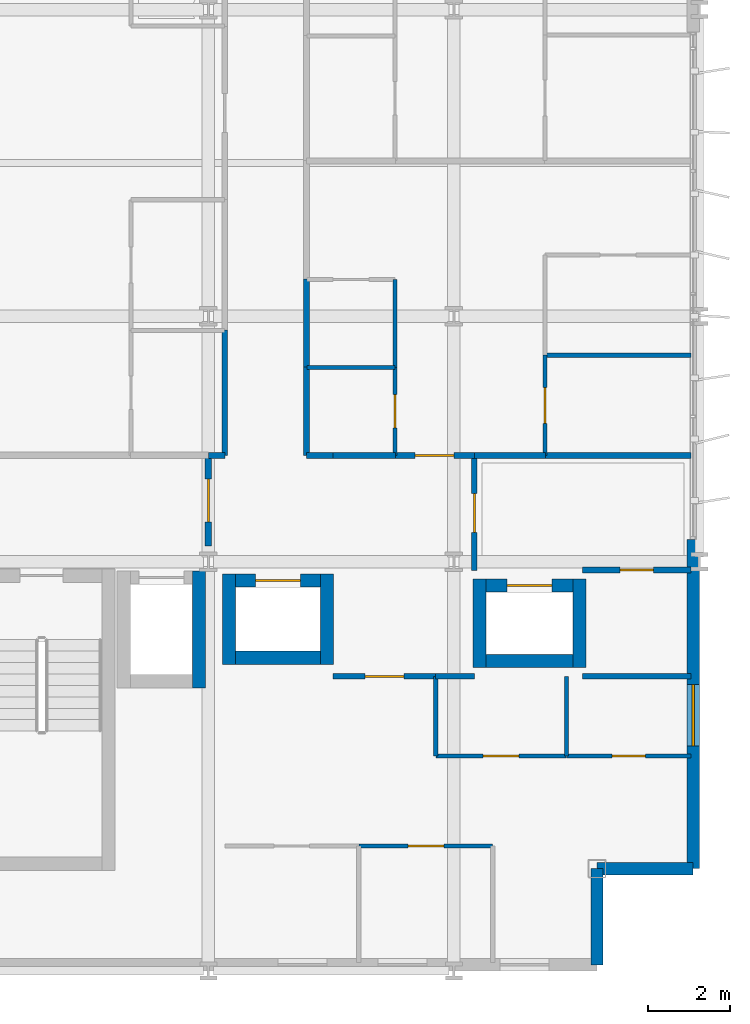
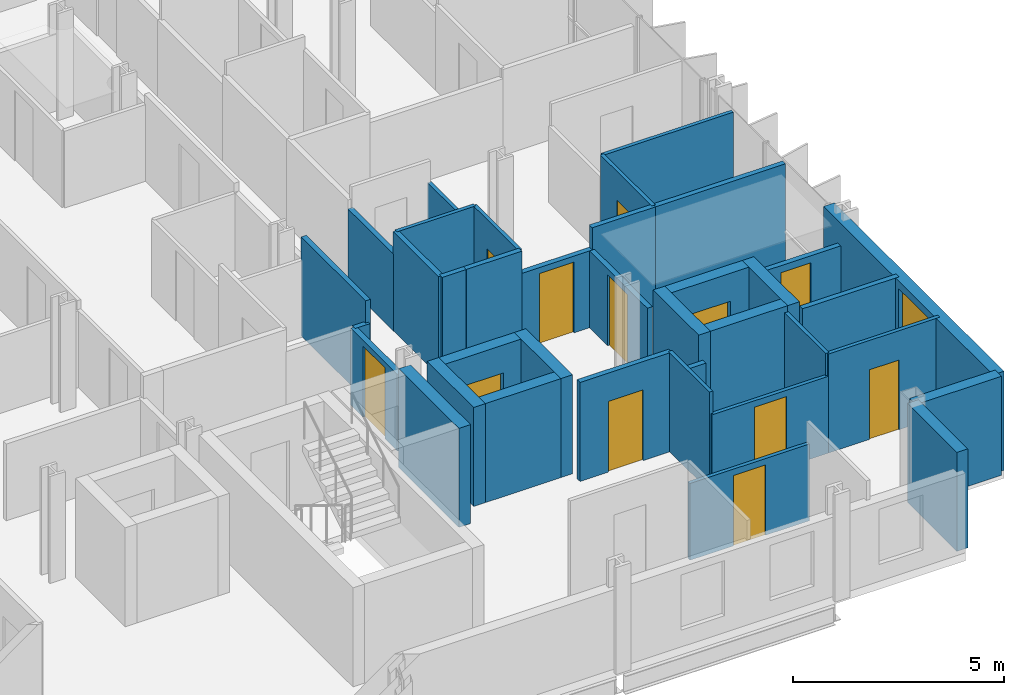
# One storey, part 31 of 39: 37 walls, 12 doors, 1 window, 13 openings.
"""IFC4 building model written with IfcOpenShell, lengths in metres."""

from ifc_helpers import new_model, si_unit, direction, frame, frame_2d, origin, place, context, subcontext, project, spatial, rectangle, extrude, material, layer, layer_set, type_object, element, fill, save


model = new_model("IFC4")

# Units and contexts
model_context = context("Model", 3, precision=1e-05, world=origin(), true_north=direction((0.0, 1.0)))
body_context = subcontext(model_context, "Body", "Model", "MODEL_VIEW")
ifc_project = project(units=[si_unit("LENGTHUNIT", "METRE"), si_unit("AREAUNIT", "SQUARE_METRE"), si_unit("VOLUMEUNIT", "CUBIC_METRE"), si_unit("PLANEANGLEUNIT", "RADIAN"), si_unit("MASSUNIT", "GRAM", prefix="KILO")], contexts=[model_context])

# Site, building, storey
site_placement = place(None, origin())
site = spatial("IfcSite", under=ifc_project, at=site_placement, CompositionType="ELEMENT")
building_placement = place(site_placement, origin())
building = spatial("IfcBuilding", under=site, at=building_placement, Name="Brevholm Reach", CompositionType="ELEMENT")
storey_placement = place(building_placement, frame((0.0, 0.0, 40.39990234375)))
storey = spatial("IfcBuildingStorey", under=building, at=storey_placement, Name="L10", CompositionType="ELEMENT", Elevation=40.39990234375)

# Walls
ifc_material_1 = material(Name="Concrete C60/75", Category="concrete")
ifc_layer_1 = layer(ifc_material_1, 0.320068359375)
ifc_layer_set_1 = layer_set([ifc_layer_1], Name="Concrete C60/75")
wall_type_1 = type_object("IfcWallType", Name="WAL-COR-320", PredefinedType="SHEAR", material=ifc_layer_set_1)
wall_1_placement = place(storey_placement, frame((47.77001953125, 6.919921875, 0.0), z_axis=(0.0, 0.0, 1.0), x_axis=(0.0, 1.0, 0.0)))
element("IfcWall", 1, at=wall_1_placement, inside=storey, type_object=wall_type_1, Name="L10 Lift FFL-2 Shaft Wall E", PredefinedType="SHEAR", context=body_context, shape_type="SweptSolid", body=[
    extrude(rectangle(XDim=2.860107421875, YDim=0.320068359375, at=frame_2d((1.43017578125, 0.0))), origin(), (0.0, 0.0, 1.0), 2.8701171875),
])
for number, where, z_axis, x_axis, name in (
    (2, (48.5048828125, 7.4951171875, 0.0), (0.0, 0.0, 1.0), (0.0, 1.0, 0.0), "L10 Lift PL-L1 Shaft Wall W"),
    (3, (50.89501953125, 7.4951171875, 0.0), (0.0, 0.0, 1.0), (0.0, 1.0, 0.0), "L10 Lift PL-L1 Shaft Wall E"),
):
    element("IfcWall", number, at=place(storey_placement, frame(where, z_axis=z_axis, x_axis=x_axis)), inside=storey, type_object=wall_type_1, Name=name, PredefinedType="SHEAR", context=body_context, shape_type="SweptSolid", body=[
        extrude(rectangle(XDim=2.2099609375, YDim=0.320068359375, at=frame_2d((1.10498046875, 0.0))), origin(), (0.0, 0.0, 1.0), 2.8701171875),
    ])
wall_2_placement = place(storey_placement, frame((48.6650390625, 7.655029296875, 0.0), z_axis=(0.0, 0.0, 1.0), x_axis=(1.0, 0.0, 0.0)))
element("IfcWall", 4, at=wall_2_placement, inside=storey, type_object=wall_type_1, Name="L10 Lift PL-L1 Shaft Wall S", PredefinedType="SHEAR", context=body_context, shape_type="SweptSolid", body=[
    extrude(rectangle(XDim=2.070068359375, YDim=0.320068359375, at=frame_2d((1.03515625, 0.0))), origin(), (0.0, 0.0, 1.0), 2.8701171875),
])

# Wall, opening, door
wall_3_placement = place(storey_placement, frame((48.6650390625, 9.544921875, 0.0), z_axis=(0.0, 0.0, 1.0), x_axis=(1.0, 0.0, 0.0)))
wall_3 = element("IfcWall", 5, at=wall_3_placement, inside=storey, type_object=wall_type_1, Name="L10 Lift PL-L1 Shaft Wall N", PredefinedType="SHEAR", context=body_context, shape_type="SweptSolid", body=[
    extrude(rectangle(XDim=2.070068359375, YDim=0.320068359375, at=frame_2d((1.03515625, 0.0))), origin(), (0.0, 0.0, 1.0), 2.8701171875),
])
opening_1_placement = place(wall_3_placement, frame((0.485107421875, 0.0, 0.0)))
opening_1 = element("IfcOpeningElement", 6, at=opening_1_placement, cuts=wall_3, Name="Opening LD-PL-L1", PredefinedType="OPENING", context=body_context, shape_type="SweptSolid", body=[
    extrude(rectangle(XDim=1.10009765625, YDim=2.06005859375, at=frame_2d((0.550048828125, 1.030029296875))), frame((0.0, 0.169921875, 0.0), z_axis=(0.0, -1.0, 0.0), x_axis=(1.0, 0.0, 0.0)), (0.0, 0.0, 1.0), 0.340087890625),
])
ifc_material_2 = material(Name="Brushed Stainless Steel Fire-Rated Sliding Lift Door", Category="steel")
door_type_1 = type_object("IfcDoorType", Name="DOR-LFT-1100", OperationType="NOTDEFINED", PredefinedType="DOOR", material=ifc_material_2)
door_1_placement = place(opening_1_placement, origin())
door_1 = element("IfcDoor", 7, at=door_1_placement, inside=storey, type_object=door_type_1, Name="L10 Lift PL-L1 Sliding Landing Door", OperationType="SLIDING_TO_RIGHT", OverallHeight=2.06005859375, OverallWidth=1.10009765625, PredefinedType="DOOR", context=body_context, shape_type="SweptSolid", body=[
    extrude(rectangle(XDim=1.10009765625, YDim=2.06005859375, at=frame_2d((0.550048828125, 1.030029296875))), frame((0.0, 0.02490234375, 0.0), z_axis=(0.0, -1.0, 0.0), x_axis=(1.0, 0.0, 0.0)), (0.0, 0.0, 1.0), 0.050048828125),
])
fill(opening_1, door_1)

# Walls
for number, where, z_axis, x_axis, name in (
    (8, (54.6298828125, 7.419921875, 0.0), (0.0, 0.0, 1.0), (0.0, 1.0, 0.0), "L10 Lift PL-L2 Shaft Wall W"),
    (9, (57.070068359375, 7.419921875, 0.0), (0.0, 0.0, 1.0), (0.0, 1.0, 0.0), "L10 Lift PL-L2 Shaft Wall E"),
):
    element("IfcWall", number, at=place(storey_placement, frame(where, z_axis=z_axis, x_axis=x_axis)), inside=storey, type_object=wall_type_1, Name=name, PredefinedType="SHEAR", context=body_context, shape_type="SweptSolid", body=[
        extrude(rectangle(XDim=2.16015625, YDim=0.320068359375, at=frame_2d((1.080078125, 0.0))), origin(), (0.0, 0.0, 1.0), 2.8701171875),
    ])
wall_4_placement = place(storey_placement, frame((54.7900390625, 7.580078125, 0.0), z_axis=(0.0, 0.0, 1.0), x_axis=(1.0, 0.0, 0.0)))
element("IfcWall", 10, at=wall_4_placement, inside=storey, type_object=wall_type_1, Name="L10 Lift PL-L2 Shaft Wall S", PredefinedType="SHEAR", context=body_context, shape_type="SweptSolid", body=[
    extrude(rectangle(XDim=2.119873046875, YDim=0.320068359375, at=frame_2d((1.06005859375, 0.0))), origin(), (0.0, 0.0, 1.0), 2.8701171875),
])

# Wall, opening, door
wall_5_placement = place(storey_placement, frame((54.7900390625, 9.419921875, 0.0), z_axis=(0.0, 0.0, 1.0), x_axis=(1.0, 0.0, 0.0)))
wall_5 = element("IfcWall", 11, at=wall_5_placement, inside=storey, type_object=wall_type_1, Name="L10 Lift PL-L2 Shaft Wall N", PredefinedType="SHEAR", context=body_context, shape_type="SweptSolid", body=[
    extrude(rectangle(XDim=2.119873046875, YDim=0.320068359375, at=frame_2d((1.06005859375, 0.0))), origin(), (0.0, 0.0, 1.0), 2.8701171875),
])
opening_2_placement = place(wall_5_placement, frame((0.510009765625, 0.0, 0.0)))
opening_2 = element("IfcOpeningElement", 12, at=opening_2_placement, cuts=wall_5, Name="Opening LD-PL-L2", PredefinedType="OPENING", context=body_context, shape_type="SweptSolid", body=[
    extrude(rectangle(XDim=1.10009765625, YDim=2.06005859375, at=frame_2d((0.550048828125, 1.030029296875))), frame((0.0, 0.169921875, 0.0), z_axis=(0.0, -1.0, 0.0), x_axis=(1.0, 0.0, 0.0)), (0.0, 0.0, 1.0), 0.340087890625),
])
door_2_placement = place(opening_2_placement, origin())
door_2 = element("IfcDoor", 13, at=door_2_placement, inside=storey, type_object=door_type_1, Name="L10 Lift PL-L2 Sliding Landing Door", OperationType="SLIDING_TO_LEFT", OverallHeight=2.06005859375, OverallWidth=1.10009765625, PredefinedType="DOOR", context=body_context, shape_type="SweptSolid", body=[
    extrude(rectangle(XDim=1.10009765625, YDim=2.06005859375, at=frame_2d((0.550048828125, 1.030029296875))), frame((0.0, 0.02490234375, 0.0), z_axis=(0.0, -1.0, 0.0), x_axis=(1.0, 0.0, 0.0)), (0.0, 0.0, 1.0), 0.050048828125),
])
fill(opening_2, door_2)

# Walls
ifc_material_3 = material(Name="Concrete C40/50", Category="concrete")
ifc_layer_2 = layer(ifc_material_3, 0.300048828125)
ifc_layer_set_2 = layer_set([ifc_layer_2], Name="Concrete C40/50")
wall_type_2 = type_object("IfcWallType", Name="WAL-EXT-300", PredefinedType="STANDARD", material=ifc_layer_set_2)
for number, where, z_axis, x_axis, name in (
    (14, (57.5, 0.14990234375, 0.0), (0.0, 0.0, 1.0), (0.0, 1.0, 0.0), "L10 Facade Wall WAL-L10-CSE1"),
    (15, (57.5, 2.5, 0.0), (0.0, 0.0, 1.0), (1.0, 0.0, 0.0), "L10 Facade Wall WAL-L10-CSE2"),
):
    element("IfcWall", number, at=place(storey_placement, frame(where, z_axis=z_axis, x_axis=x_axis)), inside=storey, type_object=wall_type_2, Name=name, PredefinedType="STANDARD", context=body_context, shape_type="SweptSolid", body=[
        extrude(rectangle(XDim=2.35009765625, YDim=0.300048828125, at=frame_2d((1.175048828125, 0.0))), origin(), (0.0, 0.0, 1.0), 2.8701171875),
    ])

# Wall, opening, window
wall_6_placement = place(storey_placement, frame((59.85009765625, 2.5, 0.0), z_axis=(0.0, 0.0, 1.0), x_axis=(0.0, 1.0, 0.0)))
wall_6 = element("IfcWall", 16, at=wall_6_placement, inside=storey, type_object=wall_type_2, Name="L10 Facade Wall WAL-L10-E-S", PredefinedType="STANDARD", context=body_context, shape_type="SweptSolid", body=[
    extrude(rectangle(XDim=8.050048828125, YDim=0.300048828125, at=frame_2d((4.02490234375, 0.0))), origin(), (0.0, 0.0, 1.0), 2.8701171875),
])
opening_3_placement = place(wall_6_placement, frame((3.0, 0.0, 0.85009765625)))
opening_3 = element("IfcOpeningElement", 17, at=opening_3_placement, cuts=wall_6, Name="Opening WN-05", PredefinedType="OPENING", context=body_context, shape_type="SweptSolid", body=[
    extrude(rectangle(XDim=1.5, YDim=1.800048828125, at=frame_2d((0.75, 0.89990234375))), frame((0.0, 0.159912109375, 0.0), z_axis=(0.0, -1.0, 0.0), x_axis=(1.0, 0.0, 0.0)), (0.0, 0.0, 1.0), 0.320068359375),
])
ifc_material_4 = material(Name="Dark Anodised Aluminium and Solar-Control IGU Glass", Category="aluminium")
window_type = type_object("IfcWindowType", Name="WIN-RES-1500", PartitioningType="SINGLE_PANEL", PredefinedType="WINDOW", material=ifc_material_4)
window_placement = place(opening_3_placement, origin())
window = element("IfcWindow", 18, at=window_placement, inside=storey, type_object=window_type, Name="L10 Window WIN-L10-ES-1", OverallHeight=1.800048828125, OverallWidth=1.5, PartitioningType="SINGLE_PANEL", PredefinedType="WINDOW", context=body_context, shape_type="SweptSolid", body=[
    extrude(rectangle(XDim=1.5, YDim=1.800048828125, at=frame_2d((0.75, 0.89990234375))), frame((0.0, 0.030029296875, 0.0), z_axis=(0.0, -1.0, 0.0), x_axis=(1.0, 0.0, 0.0)), (0.0, 0.0, 1.0), 0.06005859375),
])
fill(opening_3, window)

# Wall
ifc_material_5 = material(Name="Moisture-Resistant Acoustic Gypsum Stud Partition 100 mm", Category="gypsum")
ifc_layer_3 = layer(ifc_material_5, 0.10009765625)
ifc_layer_set_3 = layer_set([ifc_layer_3], Name="Moisture-Resistant Acoustic Gypsum Stud Partition 100 mm")
wall_type_3 = type_object("IfcWallType", Name="WAL-PRT-100", PredefinedType="PARTITIONING", material=ifc_layer_set_3)
wall_7_placement = place(storey_placement, frame((56.75, 5.25, 0.0), z_axis=(0.0, 0.0, 1.0), x_axis=(0.0, 1.0, 0.0)))
element("IfcWall", 19, at=wall_7_placement, inside=storey, type_object=wall_type_3, Name="L10 Internal Partition 085", PredefinedType="PARTITIONING", context=body_context, shape_type="SweptSolid", body=[
    extrude(rectangle(XDim=1.949951171875, YDim=0.10009765625, at=frame_2d((0.97509765625, 0.0))), origin(), (0.0, 0.0, 1.0), 2.8701171875),
])

# Wall, opening, door
wall_8_placement = place(storey_placement, frame((56.75, 5.25, 0.0), z_axis=(0.0, 0.0, 1.0), x_axis=(1.0, 0.0, 0.0)))
wall_8 = element("IfcWall", 20, at=wall_8_placement, inside=storey, type_object=wall_type_3, Name="L10 Internal Partition 086", PredefinedType="PARTITIONING", context=body_context, shape_type="SweptSolid", body=[
    extrude(rectangle(XDim=3.050048828125, YDim=0.10009765625, at=frame_2d((1.52490234375, 0.0))), origin(), (0.0, 0.0, 1.0), 2.8701171875),
])
opening_4_placement = place(wall_8_placement, frame((1.114990234375, 0.0, 0.0)))
opening_4 = element("IfcOpeningElement", 21, at=opening_4_placement, cuts=wall_8, Name="Opening ID-03", PredefinedType="OPENING", context=body_context, shape_type="SweptSolid", body=[
    extrude(rectangle(XDim=0.820068359375, YDim=2.02001953125, at=frame_2d((0.41015625, 1.010009765625))), frame((0.0, 0.06005859375, 0.0), z_axis=(0.0, -1.0, 0.0), x_axis=(1.0, 0.0, 0.0)), (0.0, 0.0, 1.0), 0.1201171875),
])
ifc_material_6 = material(Name="Moisture-Resistant Painted Timber Internal Bathroom Door", Category="wood")
door_type_2 = type_object("IfcDoorType", Name="DOR-BATH-820", OperationType="NOTDEFINED", PredefinedType="DOOR", material=ifc_material_6)
door_3_placement = place(opening_4_placement, origin())
door_3 = element("IfcDoor", 22, at=door_3_placement, inside=storey, type_object=door_type_2, Name="L10 Internal Door 030", OperationType="SINGLE_SWING_RIGHT", OverallHeight=2.02001953125, OverallWidth=0.820068359375, PredefinedType="DOOR", context=body_context, shape_type="SweptSolid", body=[
    extrude(rectangle(XDim=0.820068359375, YDim=2.02001953125, at=frame_2d((0.41015625, 1.010009765625))), frame((0.0, 0.02490234375, 0.0), z_axis=(0.0, -1.0, 0.0), x_axis=(1.0, 0.0, 0.0)), (0.0, 0.0, 1.0), 0.050048828125),
])
fill(opening_4, door_3)

wall_9_placement = place(storey_placement, frame((53.55810546875, 5.25, 0.0), z_axis=(0.0, 0.0, 1.0), x_axis=(1.0, 0.0, 0.0)))
wall_9 = element("IfcWall", 23, at=wall_9_placement, inside=storey, type_object=wall_type_3, Name="L10 Internal Partition 087", PredefinedType="PARTITIONING", context=body_context, shape_type="SweptSolid", body=[
    extrude(rectangle(XDim=3.18798828125, YDim=0.10009765625, at=frame_2d((1.593994140625, 0.0))), origin(), (0.0, 0.0, 1.0), 2.224853515625),
])
opening_5_placement = place(wall_9_placement, frame((1.154052734375, 0.0, 0.0)))
opening_5 = element("IfcOpeningElement", 24, at=opening_5_placement, cuts=wall_9, Name="Opening ID-01", PredefinedType="OPENING", context=body_context, shape_type="SweptSolid", body=[
    extrude(rectangle(XDim=0.8798828125, YDim=2.0400390625, at=frame_2d((0.43994140625, 1.02001953125))), frame((0.0, 0.06005859375, 0.0), z_axis=(0.0, -1.0, 0.0), x_axis=(1.0, 0.0, 0.0)), (0.0, 0.0, 1.0), 0.1201171875),
])
ifc_material_7 = material(Name="Lacquered Ash Solid-Core Acoustic Internal Door", Category="timber")
door_type_3 = type_object("IfcDoorType", Name="DOR-INT-880", OperationType="NOTDEFINED", PredefinedType="DOOR", material=ifc_material_7)
door_4_placement = place(opening_5_placement, origin())
door_4 = element("IfcDoor", 25, at=door_4_placement, inside=storey, type_object=door_type_3, Name="L10 Internal Door 031", OperationType="SINGLE_SWING_LEFT", OverallHeight=2.0400390625, OverallWidth=0.8798828125, PredefinedType="DOOR", context=body_context, shape_type="SweptSolid", body=[
    extrude(rectangle(XDim=0.8798828125, YDim=2.0400390625, at=frame_2d((0.43994140625, 1.02001953125))), frame((0.0, 0.02490234375, 0.0), z_axis=(0.0, -1.0, 0.0), x_axis=(1.0, 0.0, 0.0)), (0.0, 0.0, 1.0), 0.050048828125),
])
fill(opening_5, door_4)

# Wall
wall_10_placement = place(storey_placement, frame((53.55810546875, 5.25, 0.0), z_axis=(0.0, 0.0, 1.0), x_axis=(0.0, 1.0, 0.0)))
element("IfcWall", 26, at=wall_10_placement, inside=storey, type_object=wall_type_3, Name="L10 Internal Partition 088", PredefinedType="PARTITIONING", context=body_context, shape_type="SweptSolid", body=[
    extrude(rectangle(XDim=1.946044921875, YDim=0.10009765625, at=frame_2d((0.97314453125, 0.0))), origin(), (0.0, 0.0, 1.0), 2.8701171875),
])

# Wall, opening, door
wall_11_placement = place(storey_placement, frame((51.678955078125, 3.050048828125, 0.0), z_axis=(0.0, 0.0, 1.0), x_axis=(1.0, 0.0, 0.0)))
wall_11 = element("IfcWall", 27, at=wall_11_placement, inside=storey, type_object=wall_type_3, Name="L10 Internal Partition 092", PredefinedType="PARTITIONING", context=body_context, shape_type="SweptSolid", body=[
    extrude(rectangle(XDim=3.27099609375, YDim=0.10009765625, at=frame_2d((1.635498046875, 0.0))), origin(), (0.0, 0.0, 1.0), 2.224853515625),
])
opening_6_placement = place(wall_11_placement, frame((1.195556640625, 0.0, 0.0)))
opening_6 = element("IfcOpeningElement", 28, at=opening_6_placement, cuts=wall_11, Name="Opening ID-01", PredefinedType="OPENING", context=body_context, shape_type="SweptSolid", body=[
    extrude(rectangle(XDim=0.8798828125, YDim=2.0400390625, at=frame_2d((0.43994140625, 1.02001953125))), frame((0.0, 0.06005859375, 0.0), z_axis=(0.0, -1.0, 0.0), x_axis=(1.0, 0.0, 0.0)), (0.0, 0.0, 1.0), 0.1201171875),
])
door_5_placement = place(opening_6_placement, origin())
door_5 = element("IfcDoor", 29, at=door_5_placement, inside=storey, type_object=door_type_3, Name="L10 Internal Door 033", OperationType="SINGLE_SWING_LEFT", OverallHeight=2.0400390625, OverallWidth=0.8798828125, PredefinedType="DOOR", context=body_context, shape_type="SweptSolid", body=[
    extrude(rectangle(XDim=0.8798828125, YDim=2.0400390625, at=frame_2d((0.43994140625, 1.02001953125))), frame((0.0, 0.02490234375, 0.0), z_axis=(0.0, -1.0, 0.0), x_axis=(1.0, 0.0, 0.0)), (0.0, 0.0, 1.0), 0.050048828125),
])
fill(opening_6, door_5)

# Wall
wall_12_placement = place(storey_placement, frame((50.404052734375, 14.75, 0.0), z_axis=(0.0, 0.0, 1.0), x_axis=(1.0, 0.0, 0.0)))
element("IfcWall", 30, at=wall_12_placement, inside=storey, type_object=wall_type_3, Name="L10 Internal Partition 140", PredefinedType="PARTITIONING", context=body_context, shape_type="SweptSolid", body=[
    extrude(rectangle(XDim=2.157958984375, YDim=0.10009765625, at=frame_2d((1.0791015625, 0.0))), origin(), (0.0, 0.0, 1.0), 2.8701171875),
])

# Wall, opening, door
wall_13_placement = place(storey_placement, frame((52.56201171875, 12.60400390625, 0.0), z_axis=(0.0, 0.0, 1.0), x_axis=(0.0, 1.0, 0.0)))
wall_13 = element("IfcWall", 31, at=wall_13_placement, inside=storey, type_object=wall_type_3, Name="L10 Internal Partition 141", PredefinedType="PARTITIONING", context=body_context, shape_type="SweptSolid", body=[
    extrude(rectangle(XDim=2.14599609375, YDim=0.10009765625, at=frame_2d((1.072998046875, 0.0))), origin(), (0.0, 0.0, 1.0), 2.8701171875),
])
opening_7_placement = place(wall_13_placement, frame((0.6630859375, 0.0, 0.0)))
opening_7 = element("IfcOpeningElement", 32, at=opening_7_placement, cuts=wall_13, Name="Opening ID-03", PredefinedType="OPENING", context=body_context, shape_type="SweptSolid", body=[
    extrude(rectangle(XDim=0.820068359375, YDim=2.02001953125, at=frame_2d((0.41015625, 1.010009765625))), frame((0.0, 0.06005859375, 0.0), z_axis=(0.0, -1.0, 0.0), x_axis=(1.0, 0.0, 0.0)), (0.0, 0.0, 1.0), 0.1201171875),
])
door_6_placement = place(opening_7_placement, origin())
door_6 = element("IfcDoor", 33, at=door_6_placement, inside=storey, type_object=door_type_2, Name="L10 Internal Door 055", OperationType="SINGLE_SWING_LEFT", OverallHeight=2.02001953125, OverallWidth=0.820068359375, PredefinedType="DOOR", context=body_context, shape_type="SweptSolid", body=[
    extrude(rectangle(XDim=0.820068359375, YDim=2.02001953125, at=frame_2d((0.41015625, 1.010009765625))), frame((0.0, 0.02490234375, 0.0), z_axis=(0.0, -1.0, 0.0), x_axis=(1.0, 0.0, 0.0)), (0.0, 0.0, 1.0), 0.050048828125),
])
fill(opening_7, door_6)

# Walls
wall_14_placement = place(storey_placement, frame((52.56201171875, 14.75390625, 0.0), z_axis=(0.0, 0.0, 1.0), x_axis=(0.0, 1.0, 0.0)))
element("IfcWall", 34, at=wall_14_placement, inside=storey, type_object=wall_type_3, Name="L10 Internal Partition 142", PredefinedType="PARTITIONING", context=body_context, shape_type="SweptSolid", body=[
    extrude(rectangle(XDim=2.14599609375, YDim=0.10009765625, at=frame_2d((1.072998046875, 0.0))), origin(), (0.0, 0.0, 1.0), 2.224853515625),
])
wall_15_placement = place(storey_placement, frame((56.22802734375, 15.050048828125, 0.0), z_axis=(0.0, 0.0, 1.0), x_axis=(1.0, 0.0, 0.0)))
element("IfcWall", 35, at=wall_15_placement, inside=storey, type_object=wall_type_3, Name="L10 Internal Partition 144", PredefinedType="PARTITIONING", context=body_context, shape_type="SweptSolid", body=[
    extrude(rectangle(XDim=3.572021484375, YDim=0.10009765625, at=frame_2d((1.7861328125, 0.0))), origin(), (0.0, 0.0, 1.0), 2.8701171875),
])

# Wall, opening, door
wall_16_placement = place(storey_placement, frame((56.22802734375, 12.60400390625, 0.0), z_axis=(0.0, 0.0, 1.0), x_axis=(0.0, 1.0, 0.0)))
wall_16 = element("IfcWall", 36, at=wall_16_placement, inside=storey, type_object=wall_type_3, Name="L10 Internal Partition 145", PredefinedType="PARTITIONING", context=body_context, shape_type="SweptSolid", body=[
    extrude(rectangle(XDim=2.446044921875, YDim=0.10009765625, at=frame_2d((1.22314453125, 0.0))), origin(), (0.0, 0.0, 1.0), 2.8701171875),
])
opening_8_placement = place(wall_16_placement, frame((0.782958984375, 0.0, 0.0)))
opening_8 = element("IfcOpeningElement", 37, at=opening_8_placement, cuts=wall_16, Name="Opening ID-01", PredefinedType="OPENING", context=body_context, shape_type="SweptSolid", body=[
    extrude(rectangle(XDim=0.8798828125, YDim=2.0400390625, at=frame_2d((0.43994140625, 1.02001953125))), frame((0.0, 0.06005859375, 0.0), z_axis=(0.0, -1.0, 0.0), x_axis=(1.0, 0.0, 0.0)), (0.0, 0.0, 1.0), 0.1201171875),
])
door_7_placement = place(opening_8_placement, origin())
door_7 = element("IfcDoor", 38, at=door_7_placement, inside=storey, type_object=door_type_3, Name="L10 Internal Door 057", OperationType="SINGLE_SWING_LEFT", OverallHeight=2.0400390625, OverallWidth=0.8798828125, PredefinedType="DOOR", context=body_context, shape_type="SweptSolid", body=[
    extrude(rectangle(XDim=0.8798828125, YDim=2.0400390625, at=frame_2d((0.43994140625, 1.02001953125))), frame((0.0, 0.02490234375, 0.0), z_axis=(0.0, -1.0, 0.0), x_axis=(1.0, 0.0, 0.0)), (0.0, 0.0, 1.0), 0.050048828125),
])
fill(opening_8, door_7)

ifc_material_8 = material(Name="Twin-Stud Acoustic Fire-Rated Gypsum Partition 140 mm", Category="gypsum")
ifc_layer_4 = layer(ifc_material_8, 0.139892578125)
ifc_layer_set_4 = layer_set([ifc_layer_4], Name="Twin-Stud Acoustic Fire-Rated Gypsum Partition 140 mm")
wall_type_4 = type_object("IfcWallType", Name="WAL-PRT-140", PredefinedType="PARTITIONING", material=ifc_layer_set_4)
wall_17_placement = place(storey_placement, frame((54.5, 9.788818359375, 0.0), z_axis=(0.0, 0.0, 1.0), x_axis=(0.0, 1.0, 0.0)))
wall_17 = element("IfcWall", 39, at=wall_17_placement, inside=storey, type_object=wall_type_4, Name="L10 Internal Partition 013", PredefinedType="PARTITIONING", context=body_context, shape_type="SweptSolid", body=[
    extrude(rectangle(XDim=2.811279296875, YDim=0.139892578125, at=frame_2d((1.40576171875, 0.0))), origin(), (0.0, 0.0, 1.0), 2.224853515625),
])
opening_9_placement = place(wall_17_placement, frame((0.9306640625, 0.0, 0.0)))
opening_9 = element("IfcOpeningElement", 40, at=opening_9_placement, cuts=wall_17, Name="Opening ID-30", PredefinedType="OPENING", context=body_context, shape_type="SweptSolid", body=[
    extrude(rectangle(XDim=0.949951171875, YDim=2.050048828125, at=frame_2d((0.47509765625, 1.02490234375))), frame((0.0, 0.079833984375, 0.0), z_axis=(0.0, -1.0, 0.0), x_axis=(1.0, 0.0, 0.0)), (0.0, 0.0, 1.0), 0.159912109375),
])
ifc_material_9 = material(Name="European Oak Veneered Solid-Core Fire Entrance Door", Category="timber")
door_type_4 = type_object("IfcDoorType", Name="DOR-FLT-FD30S", OperationType="NOTDEFINED", PredefinedType="DOOR", material=ifc_material_9)
door_8_placement = place(opening_9_placement, origin())
door_8 = element("IfcDoor", 41, at=door_8_placement, inside=storey, type_object=door_type_4, Name="L10 Internal Door 008", OperationType="SINGLE_SWING_RIGHT", OverallHeight=2.050048828125, OverallWidth=0.949951171875, PredefinedType="DOOR", context=body_context, shape_type="SweptSolid", body=[
    extrude(rectangle(XDim=0.949951171875, YDim=2.050048828125, at=frame_2d((0.47509765625, 1.02490234375))), frame((0.0, 0.02490234375, 0.0), z_axis=(0.0, -1.0, 0.0), x_axis=(1.0, 0.0, 0.0)), (0.0, 0.0, 1.0), 0.050048828125),
])
fill(opening_9, door_8)

# Wall
wall_18_placement = place(storey_placement, frame((53.546630859375, 7.199951171875, 0.0), z_axis=(0.0, 0.0, 1.0), x_axis=(1.0, 0.0, 0.0)))
element("IfcWall", 42, at=wall_18_placement, inside=storey, type_object=wall_type_4, Name="L10 Internal Partition 014", PredefinedType="PARTITIONING", context=body_context, shape_type="SweptSolid", body=[
    extrude(rectangle(XDim=0.953369140625, YDim=0.139892578125, at=frame_2d((0.4765625, 0.0))), origin(), (0.0, 0.0, 1.0), 2.224853515625),
])

# Wall, opening, door
wall_19_placement = place(storey_placement, frame((51.050048828125, 7.199951171875, 0.0), z_axis=(0.0, 0.0, 1.0), x_axis=(1.0, 0.0, 0.0)))
wall_19 = element("IfcWall", 43, at=wall_19_placement, inside=storey, type_object=wall_type_4, Name="L10 Internal Partition 015", PredefinedType="PARTITIONING", context=body_context, shape_type="SweptSolid", body=[
    extrude(rectangle(XDim=2.51513671875, YDim=0.139892578125, at=frame_2d((1.257568359375, 0.0))), origin(), (0.0, 0.0, 1.0), 2.8701171875),
])
opening_10_placement = place(wall_19_placement, frame((0.78271484375, 0.0, 0.0)))
opening_10 = element("IfcOpeningElement", 44, at=opening_10_placement, cuts=wall_19, Name="Opening ID-30", PredefinedType="OPENING", context=body_context, shape_type="SweptSolid", body=[
    extrude(rectangle(XDim=0.949951171875, YDim=2.050048828125, at=frame_2d((0.47509765625, 1.02490234375))), frame((0.0, 0.079833984375, 0.0), z_axis=(0.0, -1.0, 0.0), x_axis=(1.0, 0.0, 0.0)), (0.0, 0.0, 1.0), 0.159912109375),
])
door_9_placement = place(opening_10_placement, origin())
door_9 = element("IfcDoor", 45, at=door_9_placement, inside=storey, type_object=door_type_4, Name="L10 Internal Door 009", OperationType="SINGLE_SWING_LEFT", OverallHeight=2.050048828125, OverallWidth=0.949951171875, PredefinedType="DOOR", context=body_context, shape_type="SweptSolid", body=[
    extrude(rectangle(XDim=0.949951171875, YDim=2.050048828125, at=frame_2d((0.47509765625, 1.02490234375))), frame((0.0, 0.02490234375, 0.0), z_axis=(0.0, -1.0, 0.0), x_axis=(1.0, 0.0, 0.0)), (0.0, 0.0, 1.0), 0.050048828125),
])
fill(opening_10, door_9)

# Wall
wall_20_placement = place(storey_placement, frame((51.050048828125, 12.60009765625, 0.0), z_axis=(0.0, 0.0, 1.0), x_axis=(1.0, 0.0, 0.0)))
element("IfcWall", 46, at=wall_20_placement, inside=storey, type_object=wall_type_4, Name="L10 Internal Partition 016", PredefinedType="PARTITIONING", context=body_context, shape_type="SweptSolid", body=[
    extrude(rectangle(XDim=1.523193359375, YDim=0.139892578125, at=frame_2d((0.76171875, 0.0))), origin(), (0.0, 0.0, 1.0), 2.8701171875),
])

# Wall, opening, door
wall_21_placement = place(storey_placement, frame((52.5546875, 12.60009765625, 0.0), z_axis=(0.0, 0.0, 1.0), x_axis=(1.0, 0.0, 0.0)))
wall_21 = element("IfcWall", 47, at=wall_21_placement, inside=storey, type_object=wall_type_4, Name="L10 Internal Partition 017", PredefinedType="PARTITIONING", context=body_context, shape_type="SweptSolid", body=[
    extrude(rectangle(XDim=1.9453125, YDim=0.139892578125, at=frame_2d((0.97265625, 0.0))), origin(), (0.0, 0.0, 1.0), 2.224853515625),
])
opening_11_placement = place(wall_21_placement, frame((0.497802734375, 0.0, 0.0)))
opening_11 = element("IfcOpeningElement", 48, at=opening_11_placement, cuts=wall_21, Name="Opening ID-30", PredefinedType="OPENING", context=body_context, shape_type="SweptSolid", body=[
    extrude(rectangle(XDim=0.949951171875, YDim=2.050048828125, at=frame_2d((0.47509765625, 1.02490234375))), frame((0.0, 0.079833984375, 0.0), z_axis=(0.0, -1.0, 0.0), x_axis=(1.0, 0.0, 0.0)), (0.0, 0.0, 1.0), 0.159912109375),
])
door_10_placement = place(opening_11_placement, origin())
door_10 = element("IfcDoor", 49, at=door_10_placement, inside=storey, type_object=door_type_4, Name="L10 Internal Door 010", OperationType="SINGLE_SWING_RIGHT", OverallHeight=2.050048828125, OverallWidth=0.949951171875, PredefinedType="DOOR", context=body_context, shape_type="SweptSolid", body=[
    extrude(rectangle(XDim=0.949951171875, YDim=2.050048828125, at=frame_2d((0.47509765625, 1.02490234375))), frame((0.0, 0.02490234375, 0.0), z_axis=(0.0, -1.0, 0.0), x_axis=(1.0, 0.0, 0.0)), (0.0, 0.0, 1.0), 0.050048828125),
])
fill(opening_11, door_10)

# Walls
wall_22_placement = place(storey_placement, frame((48.00390625, 12.60009765625, 0.0), z_axis=(0.0, 0.0, 1.0), x_axis=(1.0, 0.0, 0.0)))
element("IfcWall", 50, at=wall_22_placement, inside=storey, type_object=wall_type_4, Name="L10 Internal Partition 036", PredefinedType="PARTITIONING", context=body_context, shape_type="SweptSolid", body=[
    extrude(rectangle(XDim=0.4033203125, YDim=0.139892578125, at=frame_2d((0.20166015625, 0.0))), origin(), (0.0, 0.0, 1.0), 2.224853515625),
])
wall_23_placement = place(storey_placement, frame((50.392578125, 12.60009765625, 0.0), z_axis=(0.0, 0.0, 1.0), x_axis=(1.0, 0.0, 0.0)))
element("IfcWall", 51, at=wall_23_placement, inside=storey, type_object=wall_type_4, Name="L10 Internal Partition 037", PredefinedType="PARTITIONING", context=body_context, shape_type="SweptSolid", body=[
    extrude(rectangle(XDim=0.6533203125, YDim=0.139892578125, at=frame_2d((0.32666015625, 0.0))), origin(), (0.0, 0.0, 1.0), 2.8701171875),
])
wall_24_placement = place(storey_placement, frame((48.39990234375, 12.60400390625, 0.0), z_axis=(0.0, 0.0, 1.0), x_axis=(0.0, 1.0, 0.0)))
element("IfcWall", 52, at=wall_24_placement, inside=storey, type_object=wall_type_4, Name="L10 Internal Partition 050", PredefinedType="PARTITIONING", context=body_context, shape_type="SweptSolid", body=[
    extrude(rectangle(XDim=3.057373046875, YDim=0.139892578125, at=frame_2d((1.52880859375, 0.0))), origin(), (0.0, 0.0, 1.0), 2.8701171875),
])
wall_25_placement = place(storey_placement, frame((50.39990234375, 12.60400390625, 0.0), z_axis=(0.0, 0.0, 1.0), x_axis=(0.0, 1.0, 0.0)))
element("IfcWall", 53, at=wall_25_placement, inside=storey, type_object=wall_type_4, Name="L10 Internal Partition 054", PredefinedType="PARTITIONING", context=body_context, shape_type="SweptSolid", body=[
    extrude(rectangle(XDim=2.1572265625, YDim=0.139892578125, at=frame_2d((1.07861328125, 0.0))), origin(), (0.0, 0.0, 1.0), 2.8701171875),
])
wall_26_placement = place(storey_placement, frame((50.39990234375, 14.74267578125, 0.0), z_axis=(0.0, 0.0, 1.0), x_axis=(0.0, 1.0, 0.0)))
element("IfcWall", 54, at=wall_26_placement, inside=storey, type_object=wall_type_4, Name="L10 Internal Partition 055", PredefinedType="PARTITIONING", context=body_context, shape_type="SweptSolid", body=[
    extrude(rectangle(XDim=2.168701171875, YDim=0.139892578125, at=frame_2d((1.08447265625, 0.0))), origin(), (0.0, 0.0, 1.0), 2.224853515625),
])

# Wall, opening, door
wall_27_placement = place(storey_placement, frame((57.138671875, 9.800048828125, 0.0), z_axis=(0.0, 0.0, 1.0), x_axis=(1.0, 0.0, 0.0)))
wall_27 = element("IfcWall", 55, at=wall_27_placement, inside=storey, type_object=wall_type_4, Name="L10 Internal Partition 081", PredefinedType="PARTITIONING", context=body_context, shape_type="SweptSolid", body=[
    extrude(rectangle(XDim=2.661376953125, YDim=0.139892578125, at=frame_2d((1.33056640625, 0.0))), origin(), (0.0, 0.0, 1.0), 2.224853515625),
])
opening_12_placement = place(wall_27_placement, frame((0.920654296875, 0.0, 0.0)))
opening_12 = element("IfcOpeningElement", 56, at=opening_12_placement, cuts=wall_27, Name="Opening ID-02", PredefinedType="OPENING", context=body_context, shape_type="SweptSolid", body=[
    extrude(rectangle(XDim=0.820068359375, YDim=2.02001953125, at=frame_2d((0.41015625, 1.010009765625))), frame((0.0, 0.079833984375, 0.0), z_axis=(0.0, -1.0, 0.0), x_axis=(1.0, 0.0, 0.0)), (0.0, 0.0, 1.0), 0.159912109375),
])
ifc_material_10 = material(Name="Moisture-Resistant Painted Timber Fire-Rated Riser and Service Door", Category="wood")
door_type_5 = type_object("IfcDoorType", Name="DOR-SRV-820", OperationType="NOTDEFINED", PredefinedType="DOOR", material=ifc_material_10)
door_11_placement = place(opening_12_placement, origin())
door_11 = element("IfcDoor", 57, at=door_11_placement, inside=storey, type_object=door_type_5, Name="L10 Access Door 063", OperationType="SINGLE_SWING_LEFT", OverallHeight=2.02001953125, OverallWidth=0.820068359375, PredefinedType="DOOR", context=body_context, shape_type="SweptSolid", body=[
    extrude(rectangle(XDim=0.820068359375, YDim=2.02001953125, at=frame_2d((0.41015625, 1.010009765625))), frame((0.0, 0.02490234375, 0.0), z_axis=(0.0, -1.0, 0.0), x_axis=(1.0, 0.0, 0.0)), (0.0, 0.0, 1.0), 0.050048828125),
])
fill(opening_12, door_11)

# Walls
wall_28_placement = place(storey_placement, frame((56.216796875, 12.60009765625, 0.0), z_axis=(0.0, 0.0, 1.0), x_axis=(1.0, 0.0, 0.0)))
element("IfcWall", 58, at=wall_28_placement, inside=storey, type_object=wall_type_4, Name="L10 Internal Partition 082", PredefinedType="PARTITIONING", context=body_context, shape_type="SweptSolid", body=[
    extrude(rectangle(XDim=3.583251953125, YDim=0.139892578125, at=frame_2d((1.79150390625, 0.0))), origin(), (0.0, 0.0, 1.0), 2.8701171875),
])
wall_29_placement = place(storey_placement, frame((54.50390625, 12.60009765625, 0.0), z_axis=(0.0, 0.0, 1.0), x_axis=(1.0, 0.0, 0.0)))
element("IfcWall", 59, at=wall_29_placement, inside=storey, type_object=wall_type_4, Name="L10 Internal Partition 083", PredefinedType="PARTITIONING", context=body_context, shape_type="SweptSolid", body=[
    extrude(rectangle(XDim=1.7314453125, YDim=0.139892578125, at=frame_2d((0.86572265625, 0.0))), origin(), (0.0, 0.0, 1.0), 2.8701171875),
])
wall_30_placement = place(storey_placement, frame((57.14990234375, 7.199951171875, 0.0), z_axis=(0.0, 0.0, 1.0), x_axis=(1.0, 0.0, 0.0)))
element("IfcWall", 60, at=wall_30_placement, inside=storey, type_object=wall_type_4, Name="L10 Internal Partition 084", PredefinedType="PARTITIONING", context=body_context, shape_type="SweptSolid", body=[
    extrude(rectangle(XDim=2.650146484375, YDim=0.139892578125, at=frame_2d((1.3251953125, 0.0))), origin(), (0.0, 0.0, 1.0), 2.8701171875),
])

# Wall, opening, door
ifc_material_11 = material(Name="Twin-Frame Fire-Rated Gypsum Board and Mineral Wool 160 mm", Category="gypsum")
ifc_layer_5 = layer(ifc_material_11, 0.159912109375)
ifc_layer_set_5 = layer_set([ifc_layer_5], Name="Twin-Frame Fire-Rated Gypsum Board and Mineral Wool 160 mm")
wall_type_5 = type_object("IfcWallType", Name="WAL-PRT-160", PredefinedType="PARTITIONING", material=ifc_layer_set_5)
wall_31_placement = place(storey_placement, frame((48.0, 10.388671875, 0.0), z_axis=(0.0, 0.0, 1.0), x_axis=(0.0, 1.0, 0.0)))
wall_31 = element("IfcWall", 61, at=wall_31_placement, inside=storey, type_object=wall_type_5, Name="L10 Internal Partition 025", PredefinedType="PARTITIONING", context=body_context, shape_type="SweptSolid", body=[
    extrude(rectangle(XDim=2.21142578125, YDim=0.159912109375, at=frame_2d((1.105712890625, 0.0))), origin(), (0.0, 0.0, 1.0), 2.224853515625),
])
opening_13_placement = place(wall_31_placement, frame((0.58056640625, 0.0, 0.0)))
opening_13 = element("IfcOpeningElement", 62, at=opening_13_placement, cuts=wall_31, Name="Opening FD-01", PredefinedType="OPENING", context=body_context, shape_type="SweptSolid", body=[
    extrude(rectangle(XDim=1.050048828125, YDim=2.06005859375, at=frame_2d((0.52490234375, 1.030029296875))), frame((0.0, 0.08984375, 0.0), z_axis=(0.0, -1.0, 0.0), x_axis=(1.0, 0.0, 0.0)), (0.0, 0.0, 1.0), 0.179931640625),
])
ifc_material_12 = material(Name="Hardwood-Lipped Steel-Core Fire and Smoke Door", Category="steel")
door_type_6 = type_object("IfcDoorType", Name="DOR-INT-FD60S", OperationType="NOTDEFINED", PredefinedType="DOOR", material=ifc_material_12)
door_12_placement = place(opening_13_placement, origin())
door_12 = element("IfcDoor", 63, at=door_12_placement, inside=storey, type_object=door_type_6, Name="L10 Internal Door 014", OperationType="SINGLE_SWING_RIGHT", OverallHeight=2.06005859375, OverallWidth=1.050048828125, PredefinedType="DOOR", context=body_context, shape_type="SweptSolid", body=[
    extrude(rectangle(XDim=1.050048828125, YDim=2.06005859375, at=frame_2d((0.52490234375, 1.030029296875))), frame((0.0, 0.02490234375, 0.0), z_axis=(0.0, -1.0, 0.0), x_axis=(1.0, 0.0, 0.0)), (0.0, 0.0, 1.0), 0.050048828125),
])
fill(opening_13, door_12)

save(model, "model.ifc")
